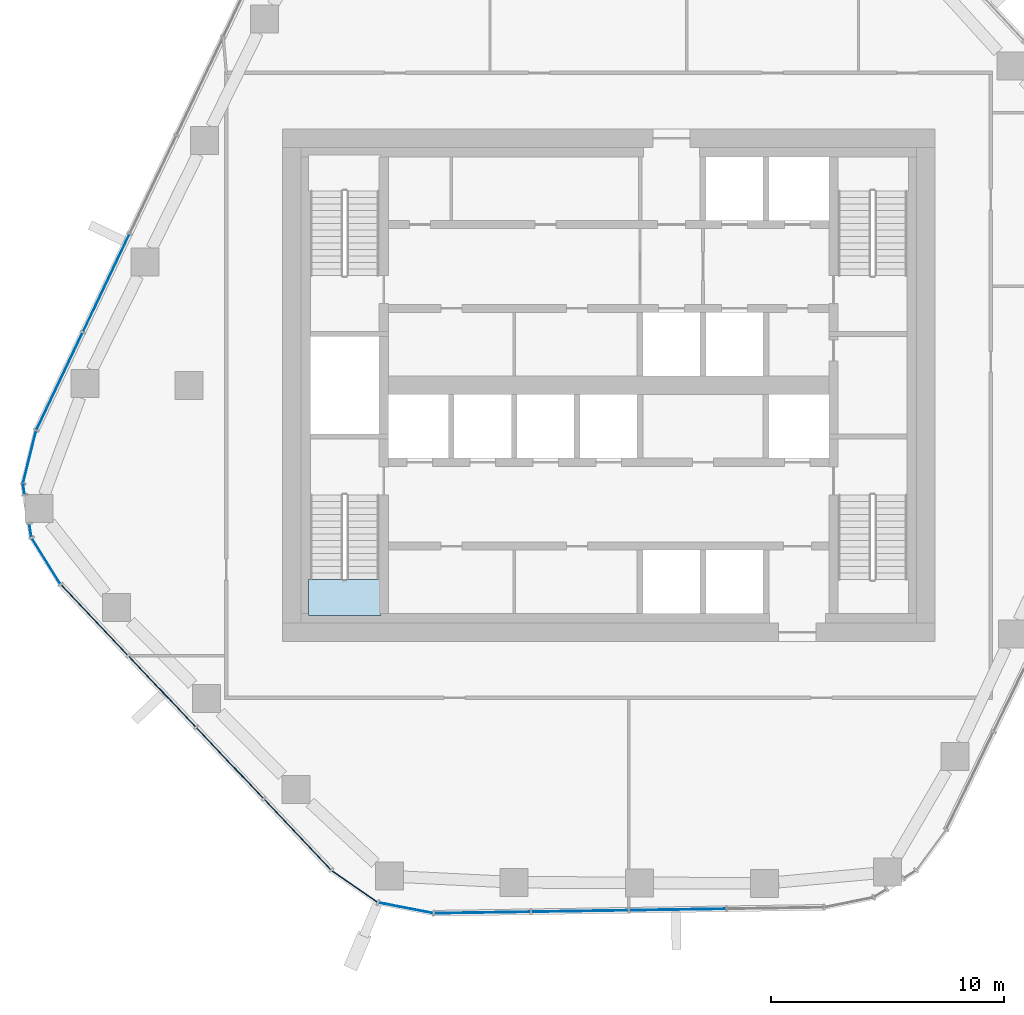
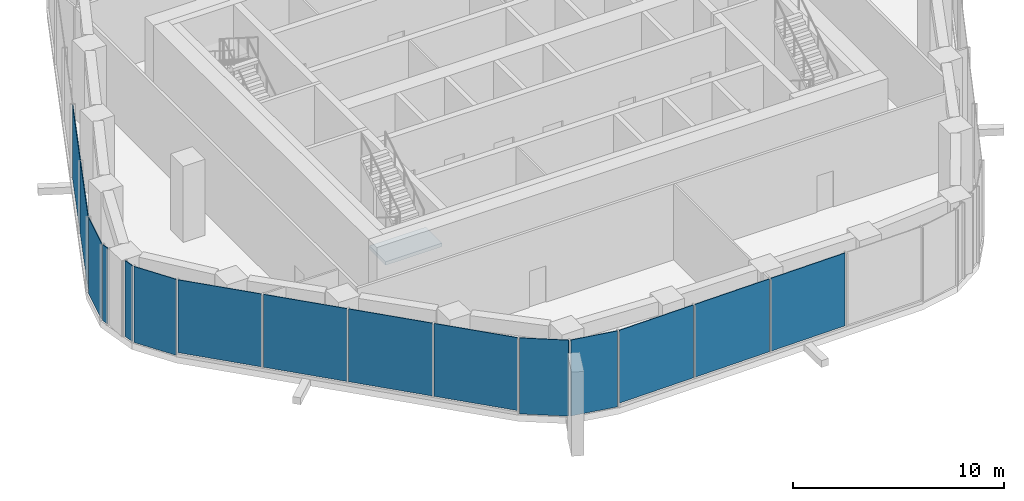
# One storey, part 6 of 16: 15 plates, 1 slab, 7 elements without a shape of their own.
"""IFC4 building model written with IfcOpenShell, lengths in metres."""

from ifc_helpers import new_model, si_unit, direction, frame, origin, origin_2d, place, context, subcontext, project, spatial, polyline, rectangle, outline, extrude, material, layer, layer_set, type_object, element, aggregate, save


model = new_model("IFC4")

# Units and contexts
model_context = context("Model", 3, precision=1e-05, world=origin(), true_north=direction((0.0, 1.0)))
body_context = subcontext(model_context, "Body", "Model", "MODEL_VIEW")
ifc_project = project(units=[si_unit("LENGTHUNIT", "METRE"), si_unit("AREAUNIT", "SQUARE_METRE"), si_unit("VOLUMEUNIT", "CUBIC_METRE"), si_unit("PLANEANGLEUNIT", "RADIAN"), si_unit("MASSUNIT", "GRAM", prefix="KILO")], contexts=[model_context])

# Site, building, storey
site_placement = place(None, origin())
site = spatial("IfcSite", under=ifc_project, at=site_placement, CompositionType="ELEMENT")
building_placement = place(site_placement, origin())
building = spatial("IfcBuilding", under=site, at=building_placement, Name="Dongbaek Canopy Tower", CompositionType="ELEMENT")
storey_placement = place(building_placement, frame((0.0, 0.0, 215.60009765625)))
storey = spatial("IfcBuildingStorey", under=building, at=storey_placement, Name="L45", CompositionType="ELEMENT", Elevation=215.60009765625)

# Curtain wall, plates
ifc_material_1 = material(Name="Aluminium 6063-T6 pale anodised", Category="aluminium")
ifc_layer_1 = layer(ifc_material_1, 0.25)
ifc_layer_set_1 = layer_set([ifc_layer_1], Name="CW-4 sky-lobby curtain wall")
curtain_wall_type = type_object("IfcCurtainWallType", Name="CW-4 sky-lobby curtain wall", PredefinedType="NOTDEFINED", material=ifc_layer_set_1)
curtain_wall_1_placement = place(storey_placement, origin())
curtain_wall_1 = element("IfcCurtainWall", 1, at=curtain_wall_1_placement, inside=storey, type_object=curtain_wall_type, Name="CW-4 curtain wall F2.1", PredefinedType="NOTDEFINED")
ifc_material_2 = material(Name="Clear laminated glass", Category="glass")
ifc_layer_2 = layer(ifc_material_2, 0.035888671875)
ifc_layer_set_2 = layer_set([ifc_layer_2], Name="CW-4 glazed panel 36")
plate_type = type_object("IfcPlateType", Name="CW-4 glazed panel 36", PredefinedType="CURTAIN_PANEL", material=ifc_layer_set_2)
plate_1_placement = place(storey_placement, frame((-21.552490234375, 4.388916015625, 0.1796875), z_axis=(0.0, 0.0, 1.0), x_axis=(-0.429374554146, -0.90312650955, 0.0)))
plate_1 = element("IfcPlate", 2, at=plate_1_placement, type_object=plate_type, Name="CW-4 panel F2.1.4.1", PredefinedType="CURTAIN_PANEL", context=body_context, shape_type="SweptSolid", body=[
    extrude(rectangle(XDim=4.58056640625, YDim=0.035888671875, at=origin_2d()), origin(), (0.0, 0.0, 1.0), 4.219970703125),
])
plate_2_placement = place(storey_placement, frame((-23.557373046875, 0.171875, 0.1796875), z_axis=(0.0, 0.0, 1.0), x_axis=(-0.429374554146, -0.90312650955, 0.0)))
plate_2 = element("IfcPlate", 3, at=plate_2_placement, type_object=plate_type, Name="CW-4 panel F2.1.5.1", PredefinedType="CURTAIN_PANEL", context=body_context, shape_type="SweptSolid", body=[
    extrude(rectangle(XDim=4.570556640625, YDim=0.035888671875, at=origin_2d()), origin(), (0.0, 0.0, 1.0), 4.219970703125),
])
aggregate(curtain_wall_1, [plate_1, plate_2])

curtain_wall_2_placement = place(storey_placement, origin())
curtain_wall_2 = element("IfcCurtainWall", 4, at=curtain_wall_2_placement, inside=storey, type_object=curtain_wall_type, Name="CW-4 curtain wall K3.1a", PredefinedType="NOTDEFINED")
plate_3_placement = place(storey_placement, frame((-24.843017578125, -3.07861328125, 0.0), z_axis=(0.0, 0.0, 1.0), x_axis=(-0.241073234876, -0.970506927037, 0.0)))
plate_3 = element("IfcPlate", 5, at=plate_3_placement, type_object=plate_type, Name="CW-4 panel K3.1a.1.1", PredefinedType="CURTAIN_PANEL", context=body_context, shape_type="SweptSolid", body=[
    extrude(rectangle(XDim=2.263427734375, YDim=0.035888671875, at=origin_2d()), origin(), (0.0, 0.0, 1.0), 4.39990234375),
])
plate_4_placement = place(storey_placement, frame((-25.089599609375, -4.459716796875, 0.0), z_axis=(0.0, 0.0, 1.0), x_axis=(0.156539136688, -0.987671756549, 0.0)))
plate_4 = element("IfcPlate", 6, at=plate_4_placement, type_object=plate_type, Name="CW-4 panel K3.1a.2.1", PredefinedType="CURTAIN_PANEL", context=body_context, shape_type="SweptSolid", body=[
    extrude(rectangle(XDim=0.385986328125, YDim=0.035888671875, at=origin_2d()), origin(), (0.0, 0.0, 1.0), 4.39990234375),
])
aggregate(curtain_wall_2, [plate_3, plate_4])

curtain_wall_3_placement = place(storey_placement, origin())
curtain_wall_3 = element("IfcCurtainWall", 7, at=curtain_wall_3_placement, inside=storey, type_object=curtain_wall_type, Name="CW-4 curtain wall K3.1b", PredefinedType="NOTDEFINED")
plate_5_placement = place(storey_placement, frame((-24.80908203125, -6.2294921875, 0.0), z_axis=(0.0, 0.0, 1.0), x_axis=(0.156539136688, -0.987671756549, 0.0)))
plate_5 = element("IfcPlate", 8, at=plate_5_placement, type_object=plate_type, Name="CW-4 panel K3.1b.1.1", PredefinedType="CURTAIN_PANEL", context=body_context, shape_type="SweptSolid", body=[
    extrude(rectangle(XDim=0.536376953125, YDim=0.035888671875, at=origin_2d()), origin(), (0.0, 0.0, 1.0), 4.39990234375),
])
plate_6_placement = place(storey_placement, frame((-24.1357421875, -7.541015625, 0.0), z_axis=(0.0, 0.0, 1.0), x_axis=(0.529357238482, -0.848399029977, 0.0)))
plate_6 = element("IfcPlate", 9, at=plate_6_placement, type_object=plate_type, Name="CW-4 panel K3.1b.2.1", PredefinedType="CURTAIN_PANEL", context=body_context, shape_type="SweptSolid", body=[
    extrude(rectangle(XDim=2.263427734375, YDim=0.035888671875, at=origin_2d()), origin(), (0.0, 0.0, 1.0), 4.39990234375),
])
aggregate(curtain_wall_3, [plate_5, plate_6])

curtain_wall_4_placement = place(storey_placement, origin())
curtain_wall_4 = element("IfcCurtainWall", 10, at=curtain_wall_4_placement, inside=storey, type_object=curtain_wall_type, Name="CW-4 curtain wall F3.1", PredefinedType="NOTDEFINED")
plate_7_placement = place(storey_placement, frame((-22.061767578125, -10.072509765625, 0.1796875), z_axis=(0.0, 0.0, 1.0), x_axis=(0.687594821694, -0.726094595201, 0.0)))
plate_7 = element("IfcPlate", 11, at=plate_7_placement, type_object=plate_type, Name="CW-4 panel F3.1.1.1", PredefinedType="CURTAIN_PANEL", context=body_context, shape_type="SweptSolid", body=[
    extrude(rectangle(XDim=4.1240234375, YDim=0.035888671875, at=origin_2d()), origin(), (0.0, 0.0, 1.0), 4.219970703125),
])
plate_8_placement = place(storey_placement, frame((-19.157958984375, -13.138671875, 0.1796875), z_axis=(0.0, 0.0, 1.0), x_axis=(0.687594821694, -0.726094595201, 0.0)))
plate_8 = element("IfcPlate", 12, at=plate_8_placement, type_object=plate_type, Name="CW-4 panel F3.1.2.1", PredefinedType="CURTAIN_PANEL", context=body_context, shape_type="SweptSolid", body=[
    extrude(rectangle(XDim=4.134033203125, YDim=0.035888671875, at=origin_2d()), origin(), (0.0, 0.0, 1.0), 4.219970703125),
])
plate_9_placement = place(storey_placement, frame((-16.25048828125, -16.208740234375, 0.1796875), z_axis=(0.0, 0.0, 1.0), x_axis=(0.687594821694, -0.726094595201, 0.0)))
plate_9 = element("IfcPlate", 13, at=plate_9_placement, type_object=plate_type, Name="CW-4 panel F3.1.3.1", PredefinedType="CURTAIN_PANEL", context=body_context, shape_type="SweptSolid", body=[
    extrude(rectangle(XDim=4.134033203125, YDim=0.035888671875, at=origin_2d()), origin(), (0.0, 0.0, 1.0), 4.219970703125),
])
plate_10_placement = place(storey_placement, frame((-13.346923828125, -19.275146484375, 0.1796875), z_axis=(0.0, 0.0, 1.0), x_axis=(0.687594821694, -0.726094595201, 0.0)))
plate_10 = element("IfcPlate", 14, at=plate_10_placement, type_object=plate_type, Name="CW-4 panel F3.1.4.1", PredefinedType="CURTAIN_PANEL", context=body_context, shape_type="SweptSolid", body=[
    extrude(rectangle(XDim=4.123779296875, YDim=0.035888671875, at=origin_2d()), origin(), (0.0, 0.0, 1.0), 4.219970703125),
])
aggregate(curtain_wall_4, [plate_7, plate_8, plate_9, plate_10])

curtain_wall_5_placement = place(storey_placement, origin())
curtain_wall_5 = element("IfcCurtainWall", 15, at=curtain_wall_5_placement, inside=storey, type_object=curtain_wall_type, Name="CW-4 curtain wall K4.1", PredefinedType="NOTDEFINED")
plate_11_placement = place(storey_placement, frame((-10.89599609375, -21.499267578125, 0.0), z_axis=(0.0, 0.0, 1.0), x_axis=(0.822136337271, -0.569290648912, 0.0)))
plate_11 = element("IfcPlate", 16, at=plate_11_placement, type_object=plate_type, Name="CW-4 panel K4.1.1.1", PredefinedType="CURTAIN_PANEL", context=body_context, shape_type="SweptSolid", body=[
    extrude(rectangle(XDim=2.3408203125, YDim=0.035888671875, at=origin_2d()), origin(), (0.0, 0.0, 1.0), 4.39990234375),
])
plate_12_placement = place(storey_placement, frame((-8.7001953125, -22.42431640625, 0.0), z_axis=(0.0, 0.0, 1.0), x_axis=(0.981685872813, -0.190506816462, 0.0)))
plate_12 = element("IfcPlate", 17, at=plate_12_placement, type_object=plate_type, Name="CW-4 panel K4.1.2.1", PredefinedType="CURTAIN_PANEL", context=body_context, shape_type="SweptSolid", body=[
    extrude(rectangle(XDim=2.3408203125, YDim=0.035888671875, at=origin_2d()), origin(), (0.0, 0.0, 1.0), 4.39990234375),
])
aggregate(curtain_wall_5, [plate_11, plate_12])

curtain_wall_6_placement = place(storey_placement, origin())
curtain_wall_6 = element("IfcCurtainWall", 18, at=curtain_wall_6_placement, inside=storey, type_object=curtain_wall_type, Name="CW-4 curtain wall F4.1", PredefinedType="NOTDEFINED")
plate_13_placement = place(storey_placement, frame((-5.41357421875, -22.624267578125, 0.1796875), z_axis=(0.0, 0.0, 1.0), x_axis=(0.999882899091, 0.015303205695, 0.0)))
plate_13 = element("IfcPlate", 19, at=plate_13_placement, type_object=plate_type, Name="CW-4 panel F4.1.1.1", PredefinedType="CURTAIN_PANEL", context=body_context, shape_type="SweptSolid", body=[
    extrude(rectangle(XDim=4.089599609375, YDim=0.035888671875, at=origin_2d()), origin(), (0.0, 0.0, 1.0), 4.219970703125),
])
plate_14_placement = place(storey_placement, frame((-1.225341796875, -22.56005859375, 0.1796875), z_axis=(0.0, 0.0, 1.0), x_axis=(0.999882899091, 0.015303205695, 0.0)))
plate_14 = element("IfcPlate", 20, at=plate_14_placement, type_object=plate_type, Name="CW-4 panel F4.1.2.1", PredefinedType="CURTAIN_PANEL", context=body_context, shape_type="SweptSolid", body=[
    extrude(rectangle(XDim=4.099853515625, YDim=0.035888671875, at=origin_2d()), origin(), (0.0, 0.0, 1.0), 4.219970703125),
])
plate_15_placement = place(storey_placement, frame((2.968017578125, -22.495849609375, 0.1796875), z_axis=(0.0, 0.0, 1.0), x_axis=(0.999882899091, 0.015303205695, 0.0)))
plate_15 = element("IfcPlate", 21, at=plate_15_placement, type_object=plate_type, Name="CW-4 panel F4.1.3.1", PredefinedType="CURTAIN_PANEL", context=body_context, shape_type="SweptSolid", body=[
    extrude(rectangle(XDim=4.099853515625, YDim=0.035888671875, at=origin_2d()), origin(), (0.0, 0.0, 1.0), 4.219970703125),
])
aggregate(curtain_wall_6, [plate_13, plate_14, plate_15])

# Stair, slab
ifc_material_3 = material(Name="Concrete C40/50", Category="concrete")
stair_type = type_object("IfcStairType", Name="Core exit stair", PredefinedType="HALF_TURN_STAIR", material=ifc_material_3)
stair_placement = place(storey_placement, origin())
stair = element("IfcStair", 22, at=stair_placement, inside=storey, type_object=stair_type, Name="L45 exit stair D", PredefinedType="HALF_TURN_STAIR")
ifc_material_4 = material(Name="Concrete C40/50", Category="concrete")
ifc_layer_3 = layer(ifc_material_4, 0.199951171875)
ifc_layer_set_3 = layer_set([ifc_layer_3], Name="Core stair landing 200")
slab_type = type_object("IfcSlabType", Name="Core stair landing 200", PredefinedType="LANDING", material=ifc_layer_set_3)
slab_placement = place(storey_placement, frame((0.0, 0.0, 2.2998046875)))
slab = element("IfcSlab", 23, at=slab_placement, type_object=slab_type, Name="ST-D landing 1", PredefinedType="LANDING", context=body_context, shape_type="SweptSolid", body=[
    extrude(outline(polyline([(-12.875, -8.340087890625), (-12.875, -9.875), (-9.77490234375, -9.875), (-9.77490234375, -8.340087890625), (-12.875, -8.340087890625)])), origin(), (0.0, 0.0, 1.0), 0.2001953125),
])
aggregate(stair, [slab])

save(model, "model.ifc")
